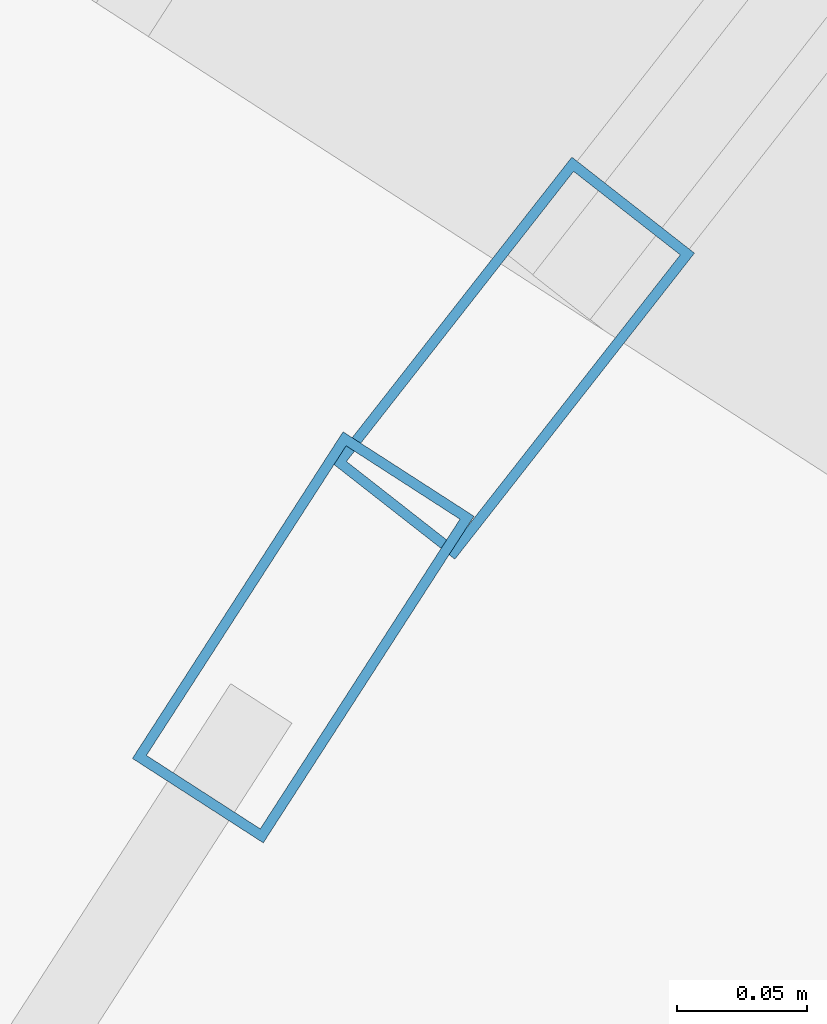
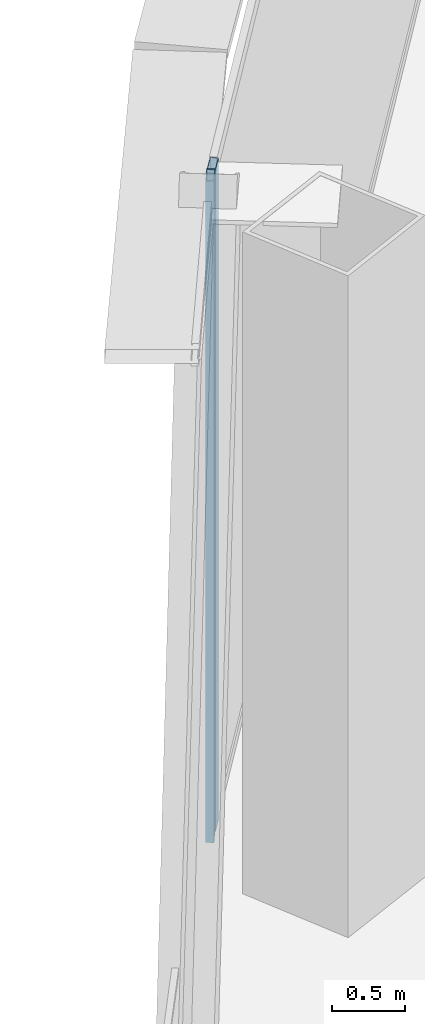
# One storey, part 18 of 38: 2 members, 2 elements without a shape of their own.
"""IFC4 building model written with IfcOpenShell, lengths in metres."""

from ifc_helpers import new_model, si_unit, direction, frame, origin, origin_2d, place, context, subcontext, project, spatial, hollow_rectangle, extrude, source, transform, mapped, material, layer, layer_set, material_profile, profile_set, type_object, element, aggregate, save


model = new_model("IFC4")

# Units and contexts
model_context = context("Model", 3, precision=1e-05, world=origin(), true_north=direction((0.0, 1.0)))
body_context = subcontext(model_context, "Body", "Model", "MODEL_VIEW")
ifc_project = project(units=[si_unit("LENGTHUNIT", "METRE"), si_unit("AREAUNIT", "SQUARE_METRE"), si_unit("VOLUMEUNIT", "CUBIC_METRE"), si_unit("PLANEANGLEUNIT", "RADIAN"), si_unit("MASSUNIT", "GRAM", prefix="KILO"), si_unit("THERMODYNAMICTEMPERATUREUNIT", "KELVIN"), si_unit("POWERUNIT", "WATT")], contexts=[model_context])

# Site, building, storey
site_placement = place(None, origin())
site = spatial("IfcSite", under=ifc_project, at=site_placement, CompositionType="ELEMENT")
building_placement = place(site_placement, origin())
building = spatial("IfcBuilding", under=site, at=building_placement, Name="Yunzhuo Pagoda Commons", CompositionType="ELEMENT")
storey_placement = place(building_placement, frame((0.0, 0.0, 218.9599609375)))
storey = spatial("IfcBuildingStorey", under=building, at=storey_placement, Name="L55", CompositionType="ELEMENT", Elevation=218.9599609375)

# Curtain wall, member
ifc_material = material(Name="Anodized aluminium 6063-T6", Category="aluminium")
ifc_layer = layer(ifc_material, 0.14990234375)
ifc_layer_set = layer_set([ifc_layer], Name="Anodized aluminium 6063-T6")
curtain_wall_type = type_object("IfcCurtainWallType", Name="CW-MID Mid-Zone Ribbon Curtain Wall", PredefinedType="NOTDEFINED", material=ifc_layer_set)
curtain_wall_1_placement = place(storey_placement, origin())
curtain_wall_1 = element("IfcCurtainWall", 1, at=curtain_wall_1_placement, inside=storey, type_object=curtain_wall_type, Name="L55 curtain wall CW-L55-F3B2", PredefinedType="NOTDEFINED")
ifc_material_profile = material_profile(ifc_material, hollow_rectangle(XDim=0.06005859375, YDim=0.14990234375, WallThickness=0.00390625, at=origin_2d()), Name="Anodized aluminium 6063-T6")
ifc_profile_set = profile_set([ifc_material_profile], Name="Anodized aluminium 6063-T6")
member_type = type_object("IfcMemberType", Name="CW-MID-M Mullion RHS 150x60x4", PredefinedType="MULLION", material=ifc_profile_set)
shared_shape = source(origin(), body_context, "Body", "SweptSolid", [
    extrude(hollow_rectangle(XDim=0.06005859375, YDim=0.14990234375, WallThickness=0.00390625, at=origin_2d()), origin(), (0.0, 0.0, 1.0), 5.570068359375),
])
member_1_placement = place(storey_placement, frame((32.857666015625, 67.648681640625, 0.0), z_axis=(0.0, 0.0, 1.0), x_axis=(0.840364735299, -0.542021320305, 0.0)))
member_1 = element("IfcMember", 2, at=member_1_placement, type_object=member_type, Name="CW mullion 1", PredefinedType="MULLION", context=body_context, shape_type="MappedRepresentation", body=[
    mapped(shared_shape, transform((0.0, 0.0, 0.0), scale=1.0)),
])
aggregate(curtain_wall_1, [member_1])

curtain_wall_2_placement = place(storey_placement, origin())
curtain_wall_2 = element("IfcCurtainWall", 3, at=curtain_wall_2_placement, inside=storey, type_object=curtain_wall_type, Name="L55 curtain wall CW-L55-F3B1", PredefinedType="NOTDEFINED")
member_2_placement = place(storey_placement, frame((32.938720703125, 67.75634765625, 0.0), z_axis=(0.0, 0.0, 1.0), x_axis=(0.78738277393, -0.6164644088, 0.0)))
member_2 = element("IfcMember", 4, at=member_2_placement, type_object=member_type, Name="CW mullion 2", PredefinedType="MULLION", context=body_context, shape_type="MappedRepresentation", body=[
    mapped(shared_shape, transform((0.0, 0.0, 0.0), scale=1.0)),
])
aggregate(curtain_wall_2, [member_2])

save(model, "model.ifc")
